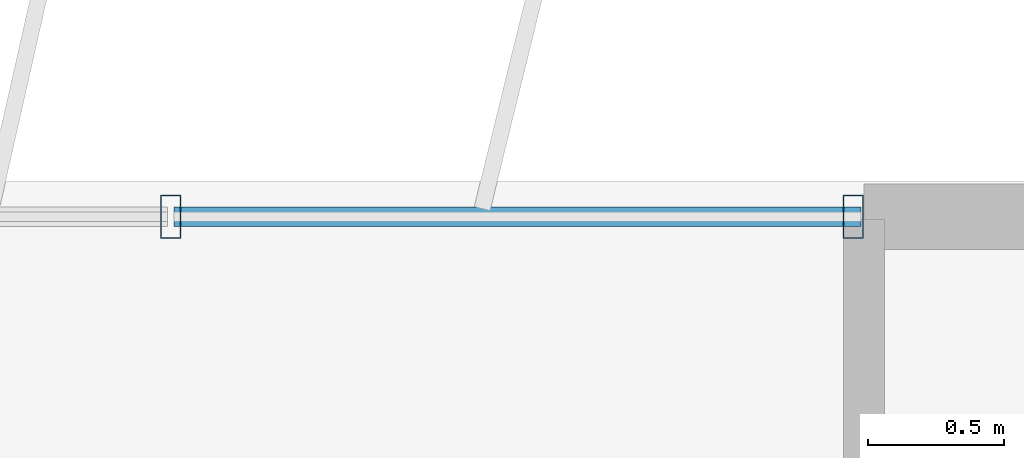
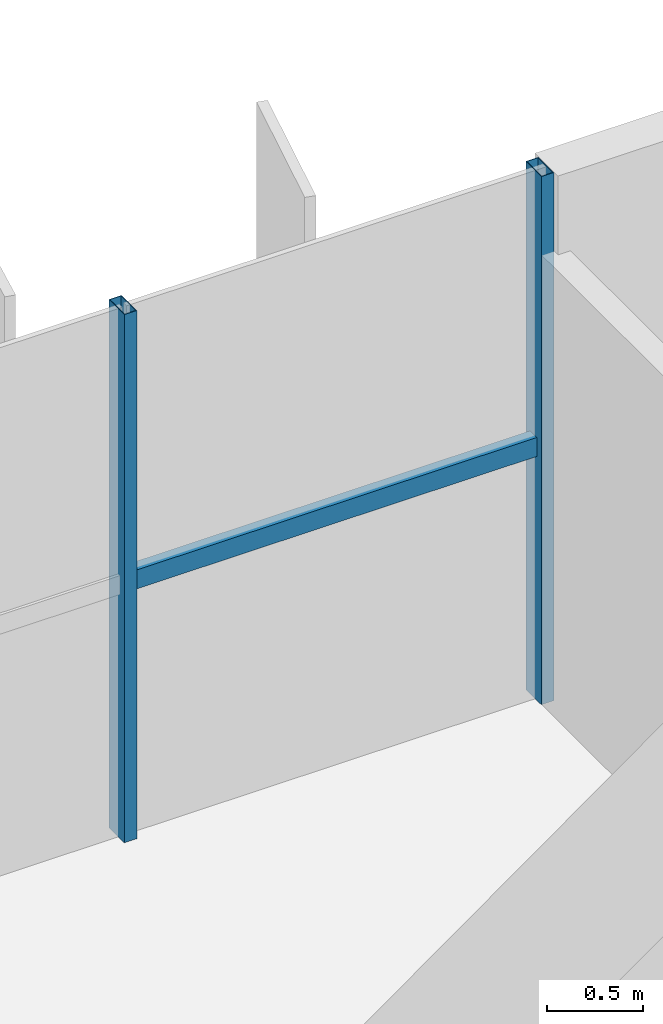
# One storey, part 12 of 21: 3 members, 1 element without a shape of its own.
"""IFC4 building model written with IfcOpenShell, lengths in metres."""

from ifc_helpers import new_model, si_unit, direction, frame, origin, origin_2d, place, context, subcontext, project, spatial, hollow_rectangle, extrude, source, transform, mapped, material, material_profile, profile_set, type_object, element, aggregate, save


model = new_model("IFC4")

# Units and contexts
model_context = context("Model", 3, precision=1e-05, world=origin(), true_north=direction((0.0, 1.0)))
body_context = subcontext(model_context, "Body", "Model", "MODEL_VIEW")
ifc_project = project(units=[si_unit("LENGTHUNIT", "METRE"), si_unit("AREAUNIT", "SQUARE_METRE"), si_unit("VOLUMEUNIT", "CUBIC_METRE"), si_unit("PLANEANGLEUNIT", "RADIAN"), si_unit("MASSUNIT", "GRAM", prefix="KILO")], contexts=[model_context])

# Site, building, storey
site_placement = place(None, origin())
site = spatial("IfcSite", under=ifc_project, at=site_placement, CompositionType="ELEMENT")
building_placement = place(site_placement, origin())
building = spatial("IfcBuilding", under=site, at=building_placement, Name="Trelvane Seafront Commons", CompositionType="ELEMENT")
storey_placement = place(building_placement, frame((0.0, 0.0, 153.699951171875)))
storey = spatial("IfcBuildingStorey", under=building, at=storey_placement, Name="L40", CompositionType="ELEMENT", Elevation=153.699951171875)

# Curtain wall, members
ifc_material = material(Name="Anodised pale-silver aluminium", Category="aluminium")
curtain_wall_type = type_object("IfcCurtainWallType", Name="ARCH-CW5-UPTOWER", PredefinedType="NOTDEFINED", material=ifc_material)
curtain_wall_placement = place(storey_placement, origin())
curtain_wall = element("IfcCurtainWall", 1, at=curtain_wall_placement, inside=storey, type_object=curtain_wall_type, Name="CW-L40-0067", PredefinedType="NOTDEFINED")
ifc_material_profile_1 = material_profile(ifc_material, hollow_rectangle(XDim=0.070068359375, YDim=0.1201171875, WallThickness=0.00390625, at=origin_2d()), Name="TRAN-70x120x4")
ifc_profile_set_1 = profile_set([ifc_material_profile_1], Name="Anodised pale-silver aluminium")
member_type_1 = type_object("IfcMemberType", Name="ARCH-CW-TRAN-120", PredefinedType="USERDEFINED", material=ifc_profile_set_1)
shared_shape_1 = source(origin(), body_context, "Body", "SweptSolid", [
    extrude(hollow_rectangle(XDim=0.070068359375, YDim=0.1201171875, WallThickness=0.00390625, at=origin_2d()), origin(), (0.0, 0.0, 1.0), 2.517333984375),
])
member_1_placement = place(storey_placement, frame((56.270751953125, 48.3701171875, 1.608154296875), z_axis=(1.0, 0.0, 0.0), x_axis=(0.0, 1.0, 0.0)))
member_1 = element("IfcMember", 2, at=member_1_placement, type_object=member_type_1, Name="CW-L40-0067-T16", ObjectType="TRANSOM", PredefinedType="USERDEFINED", context=body_context, shape_type="MappedRepresentation", body=[
    mapped(shared_shape_1, transform((0.0, 0.0, 0.0), x_axis=(1.0, 0.0, 0.0), y_axis=(0.0, 1.0, 0.0), z_axis=(0.0, 0.0, 1.0), scale=1.0)),
])
ifc_material_profile_2 = material_profile(ifc_material, hollow_rectangle(XDim=0.074951171875, YDim=0.159912109375, WallThickness=0.00390625, at=origin_2d()), Name="MULL-75x160x4")
ifc_profile_set_2 = profile_set([ifc_material_profile_2], Name="Anodised pale-silver aluminium")
member_type_2 = type_object("IfcMemberType", Name="ARCH-CW-MULL-160", PredefinedType="MULLION", material=ifc_profile_set_2)
shared_shape_2 = source(origin(), body_context, "Body", "SweptSolid", [
    extrude(hollow_rectangle(XDim=0.074951171875, YDim=0.159912109375, WallThickness=0.00390625, at=origin_2d()), origin(), (0.0, 0.0, 1.0), 3.35009765625),
])
member_2_placement = place(storey_placement, frame((56.2587890625, 48.3701171875, 0.0), z_axis=(0.0, 0.0, 1.0), x_axis=(1.0, 0.0, 0.0)))
member_2 = element("IfcMember", 3, at=member_2_placement, type_object=member_type_2, Name="CW-L40-0067-M16", PredefinedType="MULLION", context=body_context, shape_type="MappedRepresentation", body=[
    mapped(shared_shape_2, transform((0.0, 0.0, 0.0), x_axis=(1.0, 0.0, 0.0), y_axis=(0.0, 1.0, 0.0), z_axis=(0.0, 0.0, 1.0), scale=1.0)),
])
member_3_placement = place(storey_placement, frame((58.760009765625, 48.3701171875, 0.0), z_axis=(0.0, 0.0, 1.0), x_axis=(1.0, 0.0, 0.0)))
member_3 = element("IfcMember", 4, at=member_3_placement, type_object=member_type_2, Name="CW-L40-0067-M17", PredefinedType="MULLION", context=body_context, shape_type="MappedRepresentation", body=[
    mapped(shared_shape_2, transform((0.0, 0.0, 0.0), x_axis=(1.0, 0.0, 0.0), y_axis=(0.0, 1.0, 0.0), z_axis=(0.0, 0.0, 1.0), scale=1.0)),
])
aggregate(curtain_wall, [member_2, member_3, member_1])

save(model, "model.ifc")
